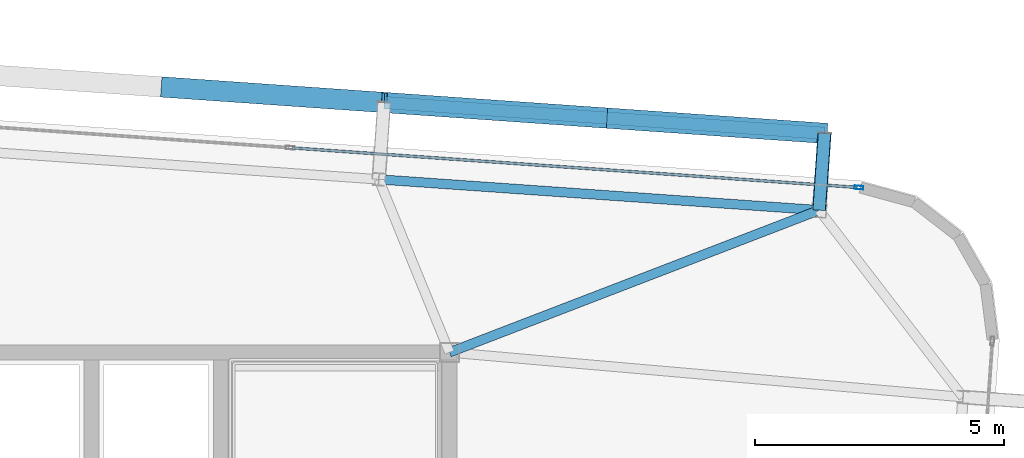
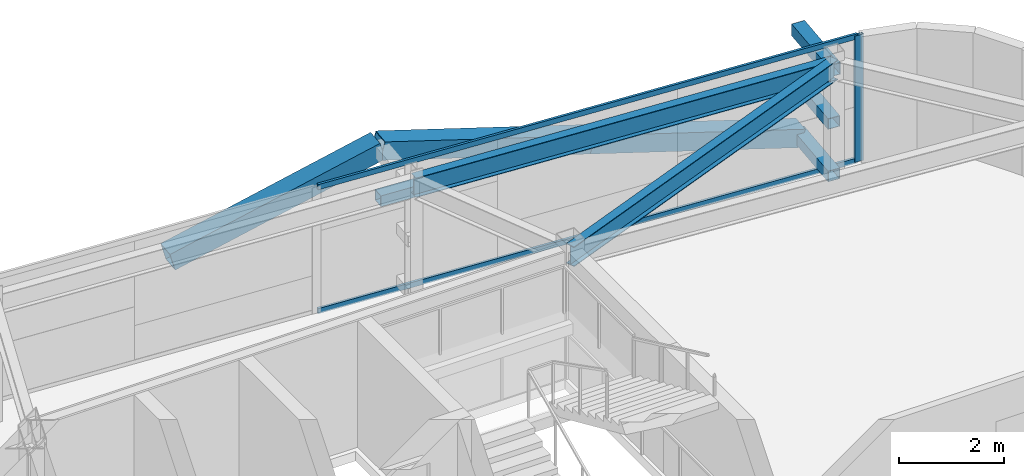
# One storey, part 24 of 39: 10 members, 2 beams, 1 element without a shape of its own.
"""IFC4 building model written with IfcOpenShell, lengths in metres."""

from ifc_helpers import new_model, si_unit, direction, frame, origin, origin_2d, place, context, subcontext, project, spatial, hollow_rectangle, i_section, extrude, source, transform, mapped, material, layer, layer_set, material_profile, profile_set, type_object, element, aggregate, save


model = new_model("IFC4")

# Units and contexts
model_context = context("Model", 3, precision=1e-05, world=origin(), true_north=direction((0.0, 1.0)))
body_context = subcontext(model_context, "Body", "Model", "MODEL_VIEW")
ifc_project = project(units=[si_unit("LENGTHUNIT", "METRE"), si_unit("AREAUNIT", "SQUARE_METRE"), si_unit("VOLUMEUNIT", "CUBIC_METRE"), si_unit("PLANEANGLEUNIT", "RADIAN"), si_unit("MASSUNIT", "GRAM", prefix="KILO")], contexts=[model_context])

# Site, building, storey
site_placement = place(None, origin())
site = spatial("IfcSite", under=ifc_project, at=site_placement, CompositionType="ELEMENT")
building_placement = place(site_placement, origin())
building = spatial("IfcBuilding", under=site, at=building_placement, Name="Taldren Reach Tower", CompositionType="ELEMENT")
storey_placement = place(building_placement, frame((0.0, 0.0, 148.75)))
storey = spatial("IfcBuildingStorey", under=building, at=storey_placement, Name="L45", CompositionType="ELEMENT", Elevation=148.75)

# Members
ifc_material_1 = material(Name="Steel Gr 450 (C450L0)", Category="steel")
ifc_material_profile_1 = material_profile(ifc_material_1, hollow_rectangle(XDim=0.27490234375, YDim=0.27490234375, WallThickness=0.00927734375, at=origin_2d()), Name="275x275x9.3SHS")
ifc_profile_set_1 = profile_set([ifc_material_profile_1], Name="Steel Gr 450 (C450L0)")
member_type_1 = type_object("IfcMemberType", Name="MB-TIE273", PredefinedType="STRUT", material=ifc_profile_set_1)
shared_shape_1 = source(origin(), body_context, "Body", "SweptSolid", [
    extrude(hollow_rectangle(XDim=0.27490234375, YDim=0.27490234375, WallThickness=0.00927734375, at=origin_2d()), origin(), (0.0, 0.0, 1.0), 1.5498046875),
])
member_1_placement = place(storey_placement, frame((58.4365234375, 34.861572265625, 2.64990234375), z_axis=(0.069780535098, 0.997562367434, 0.0), x_axis=(-0.997562367434, 0.069780535098, 0.0)))
element("IfcMember", 1, at=member_1_placement, inside=storey, type_object=member_type_1, Name="Exoskeleton diaphragm tie strut B3-N6 L45", PredefinedType="STRUT", context=body_context, shape_type="MappedRepresentation", body=[
    mapped(shared_shape_1, transform((0.0, 0.0, 0.0), scale=1.0)),
])
ifc_material_2 = material(Name="Steel Gr 350 (C350L0)", Category="steel")
ifc_material_profile_2 = material_profile(ifc_material_2, hollow_rectangle(XDim=0.25, YDim=0.25, WallThickness=0.010009765625, at=origin_2d()), Name="250x250x10.0SHS")
ifc_profile_set_2 = profile_set([ifc_material_profile_2], Name="Steel Gr 350 (C350L0)")
member_type_2 = type_object("IfcMemberType", Name="MB-POST250", PredefinedType="POST", material=ifc_profile_set_2)
shared_shape_2 = source(origin(), body_context, "Body", "SweptSolid", [
    extrude(hollow_rectangle(XDim=0.25, YDim=0.25, WallThickness=0.010009765625, at=origin_2d()), origin(), (0.0, 0.0, 1.0), 1.5498046875),
])
for number, where, z_axis, x_axis, name in (
    (2, (58.4365234375, 34.861572265625, 0.219970703125), (0.069780535098, 0.997562367434, 0.0), (-0.997562367434, 0.069780535098, 0.0), "Exoskeleton base diaphragm tie strut B3-N6 L45"),
    (3, (58.4365234375, 34.861572265625, 1.43505859375), (0.069780535098, 0.997562367434, 0.0), (-0.997562367434, 0.069780535098, 0.0), "Exoskeleton mid-tier diaphragm tie B3-N6 L45"),
):
    element("IfcMember", number, at=place(storey_placement, frame(where, z_axis=z_axis, x_axis=x_axis)), inside=storey, type_object=member_type_2, Name=name, PredefinedType="POST", context=body_context, shape_type="MappedRepresentation", body=[
        mapped(shared_shape_2, transform((0.0, 0.0, 0.0), scale=1.0)),
    ])

# Beams
ifc_material_3 = material(Name="Steel Gr 350 (350PLUS)", Category="steel")
ifc_material_profile_3 = material_profile(ifc_material_3, i_section(OverallWidth=0.18994140625, OverallDepth=0.4541015625, WebThickness=0.008544921875, FlangeThickness=0.0126953125, at=origin_2d()), Name="460UB67.1")
ifc_profile_set_3 = profile_set([ifc_material_profile_3], Name="Steel Gr 350 (350PLUS)")
beam_type_1 = type_object("IfcBeamType", Name="SP-UB460B", PredefinedType="SPANDREL", material=ifc_profile_set_3)
shared_shape_3 = source(origin(), body_context, "Body", "SweptSolid", [
    extrude(i_section(OverallWidth=0.18994140625, OverallDepth=0.4541015625, WebThickness=0.008544921875, FlangeThickness=0.0126953125, at=origin_2d()), origin(), (0.0, 0.0, 1.0), 8.880126953125),
])
beam_1_placement = place(storey_placement, frame((58.4365234375, 34.861572265625, 2.702880859375), z_axis=(-0.997564479639, 0.069750333063, 0.0), x_axis=(-0.069750333063, -0.997564479639, 0.0)))
element("IfcBeam", 4, at=beam_1_placement, inside=storey, type_object=beam_type_1, Name="Perimeter spandrel B3 N6-N5 L45", PredefinedType="SPANDREL", context=body_context, shape_type="MappedRepresentation", body=[
    mapped(shared_shape_3, transform((0.0, 0.0, 0.0), scale=1.0)),
])
ifc_material_profile_4 = material_profile(ifc_material_3, i_section(OverallWidth=0.19091796875, OverallDepth=0.4599609375, WebThickness=0.010009765625, FlangeThickness=0.01611328125, at=origin_2d()), Name="460UB82.1")
ifc_profile_set_4 = profile_set([ifc_material_profile_4], Name="Steel Gr 350 (350PLUS)")
beam_type_2 = type_object("IfcBeamType", Name="BM-UB460A", PredefinedType="BEAM", material=ifc_profile_set_4)
shared_shape_4 = source(origin(), body_context, "Body", "SweptSolid", [
    extrude(i_section(OverallWidth=0.19091796875, OverallDepth=0.4599609375, WebThickness=0.010009765625, FlangeThickness=0.01611328125, at=origin_2d()), origin(), (0.0, 0.0, 1.0), 7.968017578125),
])
beam_2_placement = place(storey_placement, frame((51.0, 32.0, 2.699951171875), z_axis=(0.933287947144, 0.359128956943, 0.0), x_axis=(-0.359128956943, 0.933287947144, 0.0)))
element("IfcBeam", 5, at=beam_2_placement, inside=storey, type_object=beam_type_2, Name="Primary floor girder B3-N6 L45", PredefinedType="BEAM", context=body_context, shape_type="MappedRepresentation", body=[
    mapped(shared_shape_4, transform((0.0, 0.0, 0.0), scale=1.0)),
])

# Members
shared_shape_5 = source(origin(), body_context, "Body", "SweptSolid", [
    extrude(hollow_rectangle(XDim=0.25, YDim=0.25, WallThickness=0.010009765625, at=origin_2d()), origin(), (0.0, 0.0, 1.0), 8.880126953125),
])
member_2_placement = place(storey_placement, frame((49.686279296875, 37.02734375, 1.43505859375), z_axis=(0.997562566276, -0.06977769246, 0.0), x_axis=(0.06977769246, 0.997562566276, 0.0)))
element("IfcMember", 6, at=member_2_placement, inside=storey, type_object=member_type_2, Name="Exoskeleton mid-height ring chord B3-N5 L45", PredefinedType="POST", context=body_context, shape_type="MappedRepresentation", body=[
    mapped(shared_shape_5, transform((0.0, 0.0, 0.0), scale=1.0)),
])
ifc_material_profile_5 = material_profile(ifc_material_1, hollow_rectangle(XDim=0.409912109375, YDim=0.409912109375, WallThickness=0.01611328125, at=origin_2d()), Name="410x410x16.0SHS")
ifc_profile_set_5 = profile_set([ifc_material_profile_5], Name="Steel Gr 450 (C450L0)")
member_type_3 = type_object("IfcMemberType", Name="MB-EXO406", PredefinedType="BRACE", material=ifc_profile_set_5)
shared_shape_6 = source(origin(), body_context, "Body", "SweptSolid", [
    extrude(hollow_rectangle(XDim=0.409912109375, YDim=0.409912109375, WallThickness=0.01611328125, at=origin_2d()), origin(), (0.0, 0.0, 1.0), 4.603271484375),
])
for number, where, z_axis, x_axis, name in (
    (7, (45.257080078125, 37.3369140625, 1.43505859375), (0.962199253371, -0.067251055742, 0.263912660389), (0.069722973508, 0.997566392259, 0.0), "Exoskeleton Diagrid Brace B3-N4 L45"),
    (8, (58.544677734375, 36.40771484375, 0.219970703125), (-0.962182351074, 0.067302910567, 0.263961060594), (-0.06977769246, -0.997562566276, 0.0), "Exoskeleton Diagrid Brace B3-N5 L45"),
    (9, (54.115478515625, 36.717529296875, 1.43505859375), (-0.962195820062, 0.067303852699, 0.263911718699), (-0.06977769246, -0.997562566276, 0.0), "Exoskeleton Diagrid Brace B3-N5 L45"),
):
    element("IfcMember", number, at=place(storey_placement, frame(where, z_axis=z_axis, x_axis=x_axis)), inside=storey, type_object=member_type_3, Name=name, PredefinedType="BRACE", context=body_context, shape_type="MappedRepresentation", body=[
        mapped(shared_shape_6, transform((0.0, 0.0, 0.0), scale=1.0)),
    ])

# Curtain wall, members
ifc_material_4 = material(Name="Aluminium and Low-E Glass Unitised System", Category="aluminium")
ifc_layer = layer(ifc_material_4, 0.159912109375)
ifc_layer_set = layer_set([ifc_layer], Name="Aluminium and Low-E Glass Unitised System")
curtain_wall_type = type_object("IfcCurtainWallType", Name="CW-SYS-4", PredefinedType="NOTDEFINED", material=ifc_layer_set)
curtain_wall_placement = place(storey_placement, origin())
curtain_wall = element("IfcCurtainWall", 10, at=curtain_wall_placement, inside=storey, type_object=curtain_wall_type, Name="Unitised curtain wall CW-L45-N", PredefinedType="NOTDEFINED")
ifc_material_5 = material(Name="Anodised Aluminium 6063-T6", Category="aluminium")
ifc_material_profile_6 = material_profile(ifc_material_5, hollow_rectangle(XDim=0.054931640625, YDim=0.1201171875, WallThickness=0.0029296875, at=origin_2d()), Name="ALU-120x55x3RHS")
ifc_profile_set_6 = profile_set([ifc_material_profile_6], Name="Anodised Aluminium 6063-T6")
member_type_4 = type_object("IfcMemberType", Name="CW-TRN-135", PredefinedType="USERDEFINED", material=ifc_profile_set_6)
shared_shape_7 = source(origin(), body_context, "Body", "SweptSolid", [
    extrude(hollow_rectangle(XDim=0.054931640625, YDim=0.1201171875, WallThickness=0.0029296875, at=origin_2d()), origin(), (0.0, 0.0, 1.0), 11.39501953125),
])
member_3_placement = place(storey_placement, frame((59.2001953125, 35.3193359375, 0.027587890625), z_axis=(-0.997563740682, 0.069760900766, 0.0), x_axis=(-0.069760900766, -0.997563740682, 0.0)))
member_3 = element("IfcMember", 11, at=member_3_placement, type_object=member_type_4, Name="CW-4 transom 1.1", ObjectType="TRANSOM", PredefinedType="USERDEFINED", context=body_context, shape_type="MappedRepresentation", body=[
    mapped(shared_shape_7, transform((0.0, 0.0, 0.0), scale=1.0)),
])
member_4_placement = place(storey_placement, frame((59.2001953125, 35.3193359375, 2.902587890625), z_axis=(-0.997563740682, 0.069760900766, 0.0), x_axis=(-0.069760900766, -0.997563740682, 0.0)))
member_4 = element("IfcMember", 12, at=member_4_placement, type_object=member_type_4, Name="CW-4 transom 1.2", ObjectType="TRANSOM", PredefinedType="USERDEFINED", context=body_context, shape_type="MappedRepresentation", body=[
    mapped(shared_shape_7, transform((0.0, 0.0, 0.0), scale=1.0)),
])
ifc_material_profile_7 = material_profile(ifc_material_5, hollow_rectangle(XDim=0.070068359375, YDim=0.179931640625, WallThickness=0.00390625, at=origin_2d()), Name="ALU-180x70x4RHS")
ifc_profile_set_7 = profile_set([ifc_material_profile_7], Name="Anodised Aluminium 6063-T6")
member_type_5 = type_object("IfcMemberType", Name="CW-MUL-180", PredefinedType="MULLION", material=ifc_profile_set_7)
shared_shape_8 = source(origin(), body_context, "Body", "SweptSolid", [
    extrude(hollow_rectangle(XDim=0.070068359375, YDim=0.179931640625, WallThickness=0.00390625, at=origin_2d()), origin(), (0.0, 0.0, 1.0), 2.929931640625),
])
member_5_placement = place(storey_placement, frame((59.235107421875, 35.31689453125, 0.0), z_axis=(0.0, 0.0, 1.0), x_axis=(-0.06975651593, -0.99756404731, 0.0)))
member_5 = element("IfcMember", 13, at=member_5_placement, type_object=member_type_5, Name="CW-4 mullion 1", PredefinedType="MULLION", context=body_context, shape_type="MappedRepresentation", body=[
    mapped(shared_shape_8, transform((0.0, 0.0, 0.0), scale=1.0)),
])
aggregate(curtain_wall, [member_5, member_3, member_4])

save(model, "model.ifc")
